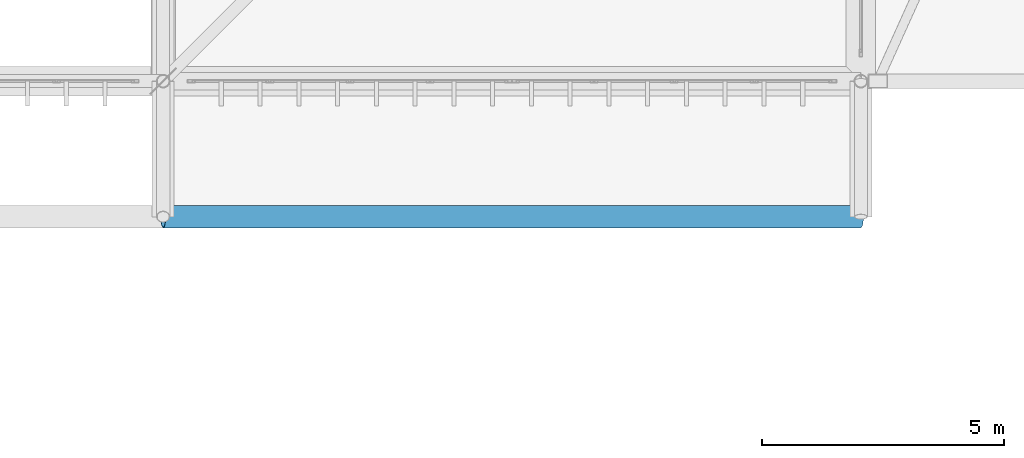
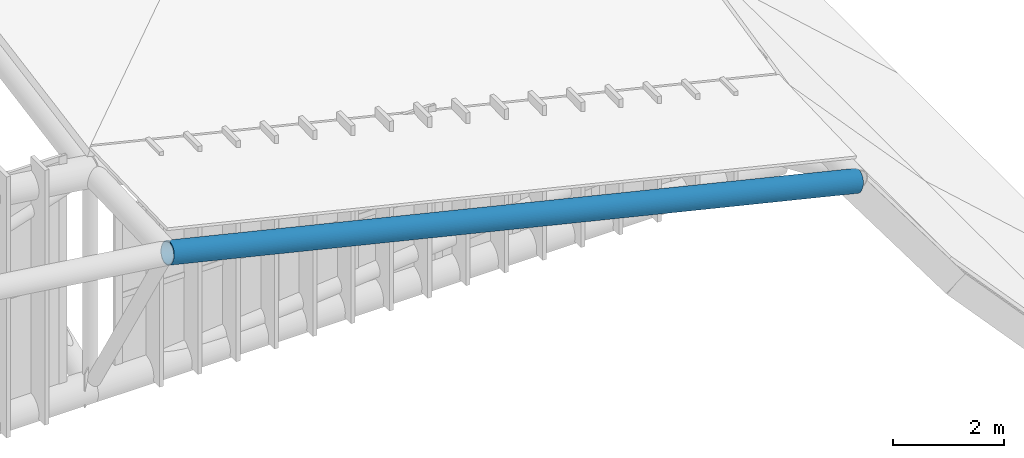
# One storey, part 110 of 397: 1 beam.
"""IFC4 building model written with IfcOpenShell, lengths in metres."""

from ifc_helpers import new_model, si_unit, direction, frame, origin, origin_2d, place, context, subcontext, project, spatial, hollow_circle, extrude, material, material_profile, profile_set, type_object, element, save


model = new_model("IFC4")

# Units and contexts
model_context = context("Model", 3, precision=1e-05, world=origin(), true_north=direction((0.0, 1.0)))
body_context = subcontext(model_context, "Body", "Model", "MODEL_VIEW")
ifc_project = project(units=[si_unit("LENGTHUNIT", "METRE"), si_unit("AREAUNIT", "SQUARE_METRE"), si_unit("VOLUMEUNIT", "CUBIC_METRE"), si_unit("PLANEANGLEUNIT", "RADIAN"), si_unit("MASSUNIT", "GRAM", prefix="KILO")], contexts=[model_context])

# Site, building, storey
site_placement = place(None, origin())
site = spatial("IfcSite", under=ifc_project, at=site_placement, CompositionType="ELEMENT")
building_placement = place(site_placement, origin())
building = spatial("IfcBuilding", under=site, at=building_placement, Name="Qandorah Velis Arena", CompositionType="ELEMENT")
storey_placement = place(building_placement, frame((0.0, 0.0, 27.5)))
storey = spatial("IfcBuildingStorey", under=building, at=storey_placement, Name="RF", CompositionType="ELEMENT", Elevation=27.5)

# Beam
ifc_material = material(Name="Steel S355", Category="steel")
ifc_material_profile = material_profile(ifc_material, hollow_circle(Radius=0.228515625, WallThickness=0.01611328125, at=origin_2d()), Name="CHS 457x16")
ifc_profile_set = profile_set([ifc_material_profile], Name="Steel S355")
beam_type = type_object("IfcBeamType", Name="STR-SFC-CHS457X16", PredefinedType="USERDEFINED", material=ifc_profile_set)
beam_placement = place(storey_placement, frame((100.800048828125, 11.60009765625, 4.751953125), z_axis=(0.972449674239, 0.0, -0.233112914856), x_axis=(0.0, 1.0, 0.0)))
element("IfcBeam", 1, at=beam_placement, inside=storey, type_object=beam_type, Name="Space frame eave fascia ring S-6", ObjectType="ROOF TRUSS", PredefinedType="USERDEFINED", context=body_context, shape_type="SweptSolid", body=[
    extrude(hollow_circle(Radius=0.228515625, WallThickness=0.01611328125, at=origin_2d()), origin(), (0.0, 0.0, 1.0), 14.807861328125),
])

save(model, "model.ifc")
